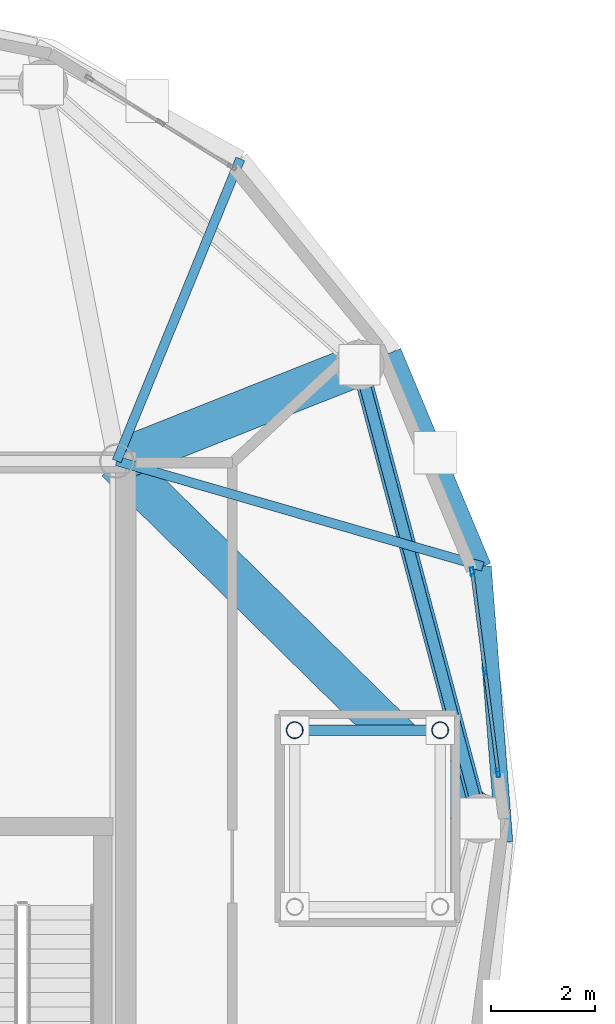
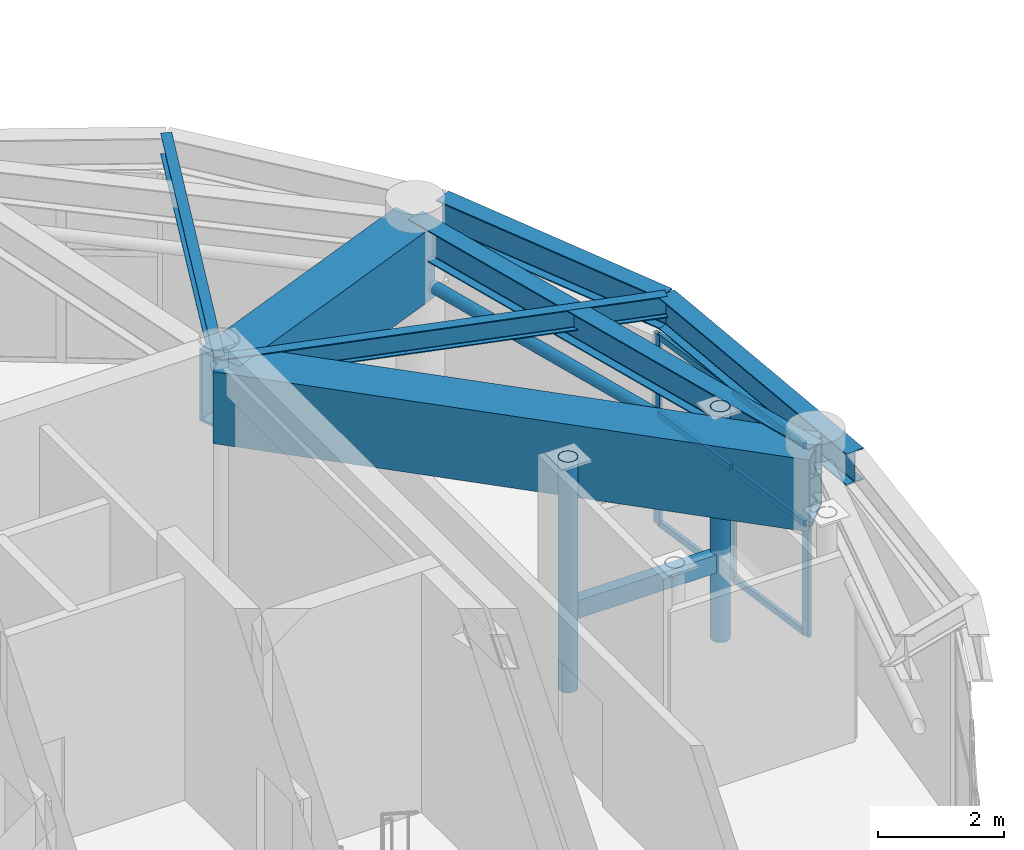
# One storey, part 10 of 28: 12 members, 8 beams, 1 element without a shape of its own.
"""IFC4 building model written with IfcOpenShell, lengths in metres."""

from ifc_helpers import new_model, si_unit, direction, frame, origin, origin_2d, place, context, subcontext, project, spatial, hollow_rectangle, hollow_circle, i_section, extrude, material, layer, layer_set, material_profile, profile_set, type_object, element, aggregate, save


model = new_model("IFC4")

# Units and contexts
model_context = context("Model", 3, precision=1e-05, world=origin(), true_north=direction((0.0, 1.0)))
body_context = subcontext(model_context, "Body", "Model", "MODEL_VIEW")
ifc_project = project(units=[si_unit("LENGTHUNIT", "METRE"), si_unit("AREAUNIT", "SQUARE_METRE"), si_unit("VOLUMEUNIT", "CUBIC_METRE"), si_unit("PLANEANGLEUNIT", "RADIAN"), si_unit("MASSUNIT", "GRAM", prefix="KILO")], contexts=[model_context])

# Site, building, storey
site_placement = place(None, origin())
site = spatial("IfcSite", under=ifc_project, at=site_placement, CompositionType="ELEMENT")
building_placement = place(site_placement, origin())
building = spatial("IfcBuilding", under=site, at=building_placement, Name="Cununo Teusaquillo Station Towers", CompositionType="ELEMENT")
storey_placement = place(building_placement, frame((0.0, 0.0, 235.64990234375)))
storey = spatial("IfcBuildingStorey", under=building, at=storey_placement, Name="L75", CompositionType="ELEMENT", Elevation=235.64990234375)

# Beams
ifc_material_1 = material(Name="Steel ASTM A572 Grade 50", Category="steel")
ifc_material_profile_1 = material_profile(ifc_material_1, i_section(OverallWidth=0.180908203125, OverallDepth=0.4169921875, WebThickness=0.010986328125, FlangeThickness=0.018310546875, FilletRadius=0.012939453125, at=origin_2d()), Name="W16X57")
ifc_profile_set_1 = profile_set([ifc_material_profile_1], Name="Steel ASTM A572 Grade 50")
beam_type_1 = type_object("IfcBeamType", Name="BM-JOIST-1", PredefinedType="JOIST", material=ifc_profile_set_1)
beam_1_placement = place(storey_placement, frame((21.675048828125, 31.3798828125, 4.131591796875), z_axis=(0.960861603375, -0.277028841748, 0.0), x_axis=(0.277028841748, 0.960861603375, 0.0)))
element("IfcBeam", 1, at=beam_1_placement, inside=storey, type_object=beam_type_1, Name="L75 Tower A Radial Spandrel Joist V01", PredefinedType="JOIST", context=body_context, shape_type="SweptSolid", body=[
    extrude(i_section(OverallWidth=0.180908203125, OverallDepth=0.4169921875, WebThickness=0.010986328125, FlangeThickness=0.018310546875, FilletRadius=0.012939453125, at=origin_2d()), origin(), (0.0, 0.0, 1.0), 7.333251953125),
])
beam_2_placement = place(storey_placement, frame((21.675048828125, 31.3798828125, 4.131591796875), z_axis=(0.378576847217, 0.925569862707, 0.0), x_axis=(-0.925569862707, 0.378576847217, 0.0)))
element("IfcBeam", 2, at=beam_2_placement, inside=storey, type_object=beam_type_1, Name="L75 Tower A Radial Spandrel Joist V03", PredefinedType="JOIST", context=body_context, shape_type="SweptSolid", body=[
    extrude(i_section(OverallWidth=0.180908203125, OverallDepth=0.4169921875, WebThickness=0.010986328125, FlangeThickness=0.018310546875, FilletRadius=0.012939453125, at=origin_2d()), origin(), (0.0, 0.0, 1.0), 6.28125),
])
ifc_material_2 = material(Name="Steel ASTM A572 Grade 50", Category="steel")
ifc_material_profile_2 = material_profile(ifc_material_2, i_section(OverallWidth=0.324951171875, OverallDepth=0.615966796875, WebThickness=0.013916015625, FlangeThickness=0.021484375, FilletRadius=0.01611328125, at=origin_2d()), Name="W24X117")
ifc_profile_set_2 = profile_set([ifc_material_profile_2], Name="Steel ASTM A572 Grade 50")
beam_type_2 = type_object("IfcBeamType", Name="BM-PLNT-G2", PredefinedType="BEAM", material=ifc_profile_set_2)
beam_3_placement = place(storey_placement, frame((28.672119140625, 24.5, 4.031982421875), z_axis=(-0.257363196347, 0.966314744359, 0.0), x_axis=(-0.966314744359, -0.257363196347, 0.0)))
element("IfcBeam", 3, at=beam_3_placement, inside=storey, type_object=beam_type_2, Name="L75 Tower A Structural Column Ring Girder 01", PredefinedType="BEAM", context=body_context, shape_type="SweptSolid", body=[
    extrude(i_section(OverallWidth=0.324951171875, OverallDepth=0.615966796875, WebThickness=0.013916015625, FlangeThickness=0.021484375, FilletRadius=0.01611328125, at=origin_2d()), origin(), (0.0, 0.0, 1.0), 9.03271484375),
])
beam_4_placement = place(storey_placement, frame((29.135498046875, 24.044189453125, 4.031982421875), z_axis=(-0.077871988965, 0.996963366095, 0.0), x_axis=(-0.996963366095, -0.077871988965, 0.0)))
element("IfcBeam", 4, at=beam_4_placement, inside=storey, type_object=beam_type_2, Name="L75 Tower A Spandrel Ring Beam 01", PredefinedType="BEAM", context=body_context, shape_type="SweptSolid", body=[
    extrude(i_section(OverallWidth=0.324951171875, OverallDepth=0.615966796875, WebThickness=0.013916015625, FlangeThickness=0.021484375, FilletRadius=0.01611328125, at=origin_2d()), origin(), (0.0, 0.0, 1.0), 5.3203125),
])
beam_5_placement = place(storey_placement, frame((28.72119140625, 29.348388671875, 4.031982421875), z_axis=(-0.386115454066, 0.922450462698, 0.0), x_axis=(-0.922450462698, -0.386115454066, 0.0)))
element("IfcBeam", 5, at=beam_5_placement, inside=storey, type_object=beam_type_2, Name="L75 Tower A Spandrel Ring Beam 02", PredefinedType="BEAM", context=body_context, shape_type="SweptSolid", body=[
    extrude(i_section(OverallWidth=0.324951171875, OverallDepth=0.615966796875, WebThickness=0.013916015625, FlangeThickness=0.021484375, FilletRadius=0.01611328125, at=origin_2d()), origin(), (0.0, 0.0, 1.0), 4.482421875),
])
ifc_material_3 = material(Name="Steel EN 10025-2 S355J2", Category="steel")
ifc_material_profile_3 = material_profile(ifc_material_3, hollow_rectangle(XDim=0.199951171875, YDim=0.35009765625, WallThickness=0.013916015625, at=origin_2d()), Name="RHS 350x200x14")
ifc_profile_set_3 = profile_set([ifc_material_profile_3], Name="Steel EN 10025-2 S355J2")
beam_type_3 = type_object("IfcBeamType", Name="BM-TMD-FRM", PredefinedType="BEAM", material=ifc_profile_set_3)
beam_6_placement = place(storey_placement, frame((27.89990234375, 26.199951171875, 1.375), z_axis=(-1.0, 0.0, 0.0), x_axis=(0.0, -1.0, 0.0)))
element("IfcBeam", 6, at=beam_6_placement, inside=storey, type_object=beam_type_3, Name="L75 Tower A Tuned Mass Damper Suspension Ring Beam 3", PredefinedType="BEAM", context=body_context, shape_type="SweptSolid", body=[
    extrude(hollow_rectangle(XDim=0.199951171875, YDim=0.35009765625, WallThickness=0.013916015625, at=origin_2d()), origin(), (0.0, 0.0, 1.0), 2.7998046875),
])
ifc_material_4 = material(Name="Steel ASTM A572 Grade 50", Category="steel")
ifc_material_profile_4 = material_profile(ifc_material_4, hollow_rectangle(XDim=0.800048828125, YDim=1.39990234375, WallThickness=0.044921875, at=origin_2d()), Name="BOX 1400x800x45")
ifc_profile_set_4 = profile_set([ifc_material_profile_4], Name="Steel ASTM A572 Grade 50")
beam_type_4 = type_object("IfcBeamType", Name="BM-XFER-SEC", PredefinedType="USERDEFINED", material=ifc_profile_set_4)
beam_7_placement = place(storey_placement, frame((21.675048828125, 31.3798828125, 3.6201171875), z_axis=(0.929864104313, 0.367903176814, 0.0), x_axis=(-0.367903176814, 0.929864104313, 0.0)))
element("IfcBeam", 7, at=beam_7_placement, inside=storey, type_object=beam_type_4, Name="L75 Tower A TMD Overhead Suspension Girder 1", ObjectType="TRANSFER GIRDER", PredefinedType="USERDEFINED", context=body_context, shape_type="SweptSolid", body=[
    extrude(hollow_rectangle(XDim=0.800048828125, YDim=1.39990234375, WallThickness=0.044921875, at=origin_2d()), origin(), (0.0, 0.0, 1.0), 5.02490234375),
])
beam_8_placement = place(storey_placement, frame((21.675048828125, 31.3798828125, 3.6201171875), z_axis=(0.713052701438, -0.701110437073, 0.0), x_axis=(0.701110437073, 0.713052701438, 0.0)))
element("IfcBeam", 8, at=beam_8_placement, inside=storey, type_object=beam_type_4, Name="L75 Tower A TMD Overhead Suspension Girder 3", ObjectType="TRANSFER GIRDER", PredefinedType="USERDEFINED", context=body_context, shape_type="SweptSolid", body=[
    extrude(hollow_rectangle(XDim=0.800048828125, YDim=1.39990234375, WallThickness=0.044921875, at=origin_2d()), origin(), (0.0, 0.0, 1.0), 9.812744140625),
])

# Curtain wall, members
ifc_material_5 = material(Name="Ceramic-fritted dark low-E double glazing", Category="glass")
ifc_layer = layer(ifc_material_5, 0.179931640625)
ifc_layer_set = layer_set([ifc_layer], Name="Ceramic-fritted dark low-E double glazing")
curtain_wall_type = type_object("IfcCurtainWallType", Name="CW-SYS-08", PredefinedType="USERDEFINED", material=ifc_layer_set)
curtain_wall_placement = place(storey_placement, origin())
curtain_wall = element("IfcCurtainWall", 9, at=curtain_wall_placement, inside=storey, type_object=curtain_wall_type, Name="L75 Tower A Crown Drum Glazed Screen C00", ObjectType="FRITTED GLAZING", PredefinedType="USERDEFINED")
ifc_material_6 = material(Name="Anodised dark bronze aluminium EN AW-6063-T6", Category="aluminium")
ifc_material_profile_5 = material_profile(ifc_material_6, hollow_rectangle(XDim=0.06494140625, YDim=0.159912109375, WallThickness=0.00390625, at=origin_2d()), Name="CW-MULL-65x160")
ifc_profile_set_5 = profile_set([ifc_material_profile_5], Name="Anodised dark bronze aluminium EN AW-6063-T6")
member_type_1 = type_object("IfcMemberType", Name="CWM-160", PredefinedType="MULLION", material=ifc_profile_set_5)
member_1_placement = place(storey_placement, frame((28.515869140625, 29.248291015625, 0.0), z_axis=(0.0, 0.0, 1.0), x_axis=(0.991741528461, 0.12825264413, 0.0)))
member_1 = element("IfcMember", 10, at=member_1_placement, type_object=member_type_1, Name="CW-08 mullion 1", PredefinedType="MULLION", context=body_context, shape_type="SweptSolid", body=[
    extrude(hollow_rectangle(XDim=0.06494140625, YDim=0.159912109375, WallThickness=0.00390625, at=origin_2d()), origin(), (0.0, 0.0, 1.0), 3.696044921875),
])
member_2_placement = place(storey_placement, frame((28.766357421875, 27.311767578125, 0.0), z_axis=(0.0, 0.0, 1.0), x_axis=(0.991741528461, 0.12825264413, 0.0)))
member_2 = element("IfcMember", 11, at=member_2_placement, type_object=member_type_1, Name="CW-08 mullion 2", PredefinedType="MULLION", context=body_context, shape_type="SweptSolid", body=[
    extrude(hollow_rectangle(XDim=0.06494140625, YDim=0.159912109375, WallThickness=0.00390625, at=origin_2d()), origin(), (0.0, 0.0, 1.0), 3.696044921875),
])
member_3_placement = place(storey_placement, frame((29.016845703125, 25.375244140625, 0.0), z_axis=(0.0, 0.0, 1.0), x_axis=(0.991741528461, 0.12825264413, 0.0)))
member_3 = element("IfcMember", 12, at=member_3_placement, type_object=member_type_1, Name="CW-08 mullion 3", PredefinedType="MULLION", context=body_context, shape_type="SweptSolid", body=[
    extrude(hollow_rectangle(XDim=0.06494140625, YDim=0.159912109375, WallThickness=0.00390625, at=origin_2d()), origin(), (0.0, 0.0, 1.0), 3.696044921875),
])
ifc_material_7 = material(Name="Anodised dark bronze aluminium EN AW-6063-T6", Category="aluminium")
ifc_material_profile_6 = material_profile(ifc_material_7, hollow_rectangle(XDim=0.06494140625, YDim=0.1201171875, WallThickness=0.00390625, at=origin_2d()), Name="CW-TRAN-65x120")
ifc_profile_set_6 = profile_set([ifc_material_profile_6], Name="Anodised dark bronze aluminium EN AW-6063-T6")
member_type_2 = type_object("IfcMemberType", Name="CWT-120", PredefinedType="USERDEFINED", material=ifc_profile_set_6)
member_4_placement = place(storey_placement, frame((28.52001953125, 29.216064453125, 0.03271484375), z_axis=(0.128299630595, -0.99173545101, 0.0), x_axis=(0.99173545101, 0.128299630595, 0.0)))
member_4 = element("IfcMember", 13, at=member_4_placement, type_object=member_type_2, Name="CW-08 transom 1.1", ObjectType="TRANSOM", PredefinedType="USERDEFINED", context=body_context, shape_type="SweptSolid", body=[
    extrude(hollow_rectangle(XDim=0.06494140625, YDim=0.1201171875, WallThickness=0.00390625, at=origin_2d()), origin(), (0.0, 0.0, 1.0), 1.8876953125),
])
member_5_placement = place(storey_placement, frame((28.52001953125, 29.216064453125, 2.150146484375), z_axis=(0.128299630595, -0.99173545101, 0.0), x_axis=(0.99173545101, 0.128299630595, 0.0)))
member_5 = element("IfcMember", 14, at=member_5_placement, type_object=member_type_2, Name="CW-08 transom 1.2", ObjectType="TRANSOM", PredefinedType="USERDEFINED", context=body_context, shape_type="SweptSolid", body=[
    extrude(hollow_rectangle(XDim=0.06494140625, YDim=0.1201171875, WallThickness=0.00390625, at=origin_2d()), origin(), (0.0, 0.0, 1.0), 1.8876953125),
])
member_6_placement = place(storey_placement, frame((28.52001953125, 29.216064453125, 3.66357421875), z_axis=(0.128299630595, -0.99173545101, 0.0), x_axis=(0.99173545101, 0.128299630595, 0.0)))
member_6 = element("IfcMember", 15, at=member_6_placement, type_object=member_type_2, Name="CW-08 transom 1.3", ObjectType="TRANSOM", PredefinedType="USERDEFINED", context=body_context, shape_type="SweptSolid", body=[
    extrude(hollow_rectangle(XDim=0.06494140625, YDim=0.1201171875, WallThickness=0.00390625, at=origin_2d()), origin(), (0.0, 0.0, 1.0), 1.8876953125),
])
member_7_placement = place(storey_placement, frame((28.7705078125, 27.279541015625, 0.03271484375), z_axis=(0.128299630595, -0.99173545101, 0.0), x_axis=(0.99173545101, 0.128299630595, 0.0)))
member_7 = element("IfcMember", 16, at=member_7_placement, type_object=member_type_2, Name="CW-08 transom 2.1", ObjectType="TRANSOM", PredefinedType="USERDEFINED", context=body_context, shape_type="SweptSolid", body=[
    extrude(hollow_rectangle(XDim=0.06494140625, YDim=0.1201171875, WallThickness=0.00390625, at=origin_2d()), origin(), (0.0, 0.0, 1.0), 1.8876953125),
])
member_8_placement = place(storey_placement, frame((28.7705078125, 27.279541015625, 2.150146484375), z_axis=(0.128299630595, -0.99173545101, 0.0), x_axis=(0.99173545101, 0.128299630595, 0.0)))
member_8 = element("IfcMember", 17, at=member_8_placement, type_object=member_type_2, Name="CW-08 transom 2.2", ObjectType="TRANSOM", PredefinedType="USERDEFINED", context=body_context, shape_type="SweptSolid", body=[
    extrude(hollow_rectangle(XDim=0.06494140625, YDim=0.1201171875, WallThickness=0.00390625, at=origin_2d()), origin(), (0.0, 0.0, 1.0), 1.8876953125),
])
member_9_placement = place(storey_placement, frame((28.7705078125, 27.279541015625, 3.66357421875), z_axis=(0.128299630595, -0.99173545101, 0.0), x_axis=(0.99173545101, 0.128299630595, 0.0)))
member_9 = element("IfcMember", 18, at=member_9_placement, type_object=member_type_2, Name="CW-08 transom 2.3", ObjectType="TRANSOM", PredefinedType="USERDEFINED", context=body_context, shape_type="SweptSolid", body=[
    extrude(hollow_rectangle(XDim=0.06494140625, YDim=0.1201171875, WallThickness=0.00390625, at=origin_2d()), origin(), (0.0, 0.0, 1.0), 1.8876953125),
])
aggregate(curtain_wall, [member_1, member_2, member_3, member_4, member_5, member_6, member_7, member_8, member_9])

# Members
ifc_material_8 = material(Name="Steel EN 10025-2 S355J2", Category="steel")
ifc_material_profile_7 = material_profile(ifc_material_8, hollow_circle(Radius=0.109619140625, WallThickness=0.010009765625, at=origin_2d()), Name="CHS 219x10")
ifc_profile_set_7 = profile_set([ifc_material_profile_7], Name="Steel EN 10025-2 S355J2")
member_type_3 = type_object("IfcMemberType", Name="MBR-DRUM-COL", PredefinedType="COLLAR", material=ifc_profile_set_7)
member_10_placement = place(storey_placement, frame((28.672119140625, 24.5, 3.150146484375), z_axis=(-0.257363196347, 0.966314744359, 0.0), x_axis=(-0.966314744359, -0.257363196347, 0.0)))
element("IfcMember", 19, at=member_10_placement, inside=storey, type_object=member_type_3, Name="L75 Tower A Crown Drum Collar 01", PredefinedType="COLLAR", context=body_context, shape_type="SweptSolid", body=[
    extrude(hollow_circle(Radius=0.109619140625, WallThickness=0.010009765625, at=origin_2d()), origin(), (0.0, 0.0, 1.0), 9.03271484375),
])
ifc_material_9 = material(Name="Steel EN 10025-2 S355J2", Category="steel")
ifc_material_profile_8 = material_profile(ifc_material_9, hollow_circle(Radius=0.162109375, WallThickness=0.011962890625, at=origin_2d()), Name="CHS 324x12")
ifc_profile_set_8 = profile_set([ifc_material_profile_8], Name="Steel EN 10025-2 S355J2")
member_type_4 = type_object("IfcMemberType", Name="MBR-TMD-POST", PredefinedType="POST", material=ifc_profile_set_8)
for number, where, z_axis, x_axis, name in (
    (20, (27.89990234375, 26.199951171875, -0.14990234375), (0.0, 0.0, 1.0), (1.0, 0.0, 0.0), "L75 Tower A Tuned Mass Damper Frame Post 3"),
    (21, (25.10009765625, 26.199951171875, -0.14990234375), (0.0, 0.0, 1.0), (1.0, 0.0, 0.0), "L75 Tower A Tuned Mass Damper Frame Post 4"),
):
    element("IfcMember", number, at=place(storey_placement, frame(where, z_axis=z_axis, x_axis=x_axis)), inside=storey, type_object=member_type_4, Name=name, PredefinedType="POST", context=body_context, shape_type="SweptSolid", body=[
        extrude(hollow_circle(Radius=0.162109375, WallThickness=0.011962890625, at=origin_2d()), origin(), (0.0, 0.0, 1.0), 4.489990234375),
    ])

save(model, "model.ifc")
